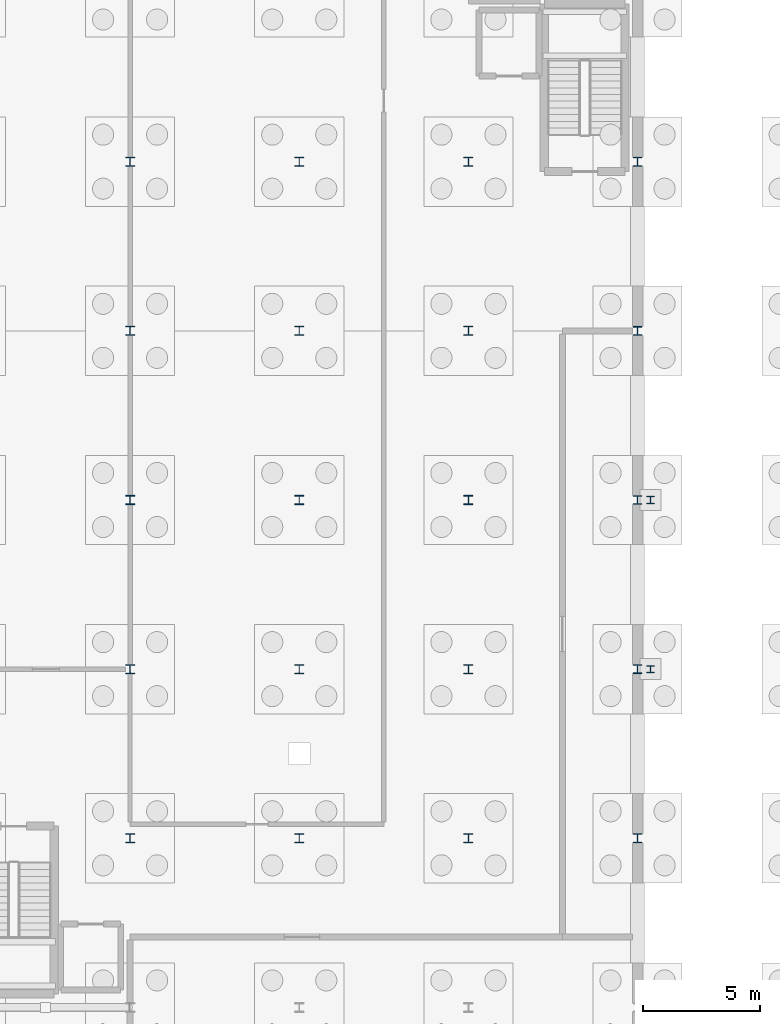
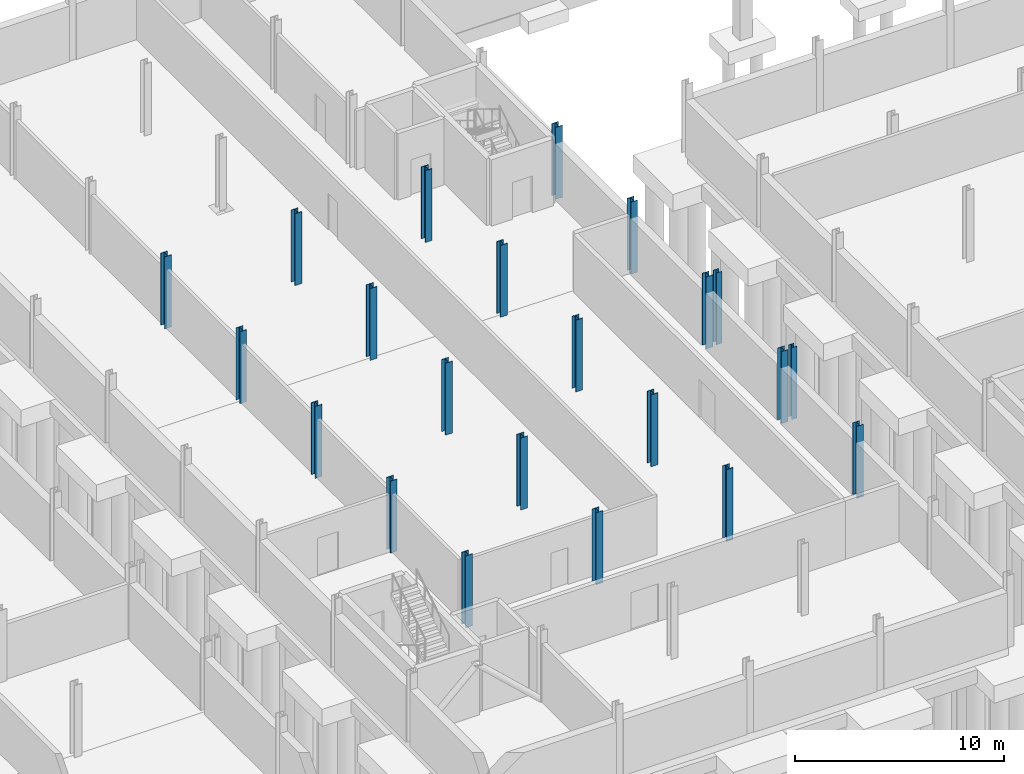
# One storey, part 16 of 50: 22 columns.
"""IFC4 building model written with IfcOpenShell, lengths in metres."""

from ifc_helpers import new_model, si_unit, direction, frame, origin, origin_2d, place, context, subcontext, project, spatial, i_section, extrude, material, material_profile, profile_set, type_object, element, save


model = new_model("IFC4")

# Units and contexts
model_context = context("Model", 3, precision=1e-05, world=origin(), true_north=direction((0.0, 1.0)))
body_context = subcontext(model_context, "Body", "Model", "MODEL_VIEW")
ifc_project = project(units=[si_unit("LENGTHUNIT", "METRE"), si_unit("AREAUNIT", "SQUARE_METRE"), si_unit("VOLUMEUNIT", "CUBIC_METRE"), si_unit("PLANEANGLEUNIT", "RADIAN"), si_unit("MASSUNIT", "GRAM", prefix="KILO")], contexts=[model_context])

# Site, building, storey
site_placement = place(None, origin())
site = spatial("IfcSite", under=ifc_project, at=site_placement, CompositionType="ELEMENT")
building_placement = place(site_placement, origin())
building = spatial("IfcBuilding", under=site, at=building_placement, Name="Narikvali Park Central Library", CompositionType="ELEMENT")
storey_placement = place(building_placement, frame((0.0, 0.0, -4.199951171875)))
storey = spatial("IfcBuildingStorey", under=building, at=storey_placement, Name="B1", CompositionType="ELEMENT", Elevation=-4.199951171875)

# Columns
ifc_material = material(Name="Steel S355", Category="steel")
ifc_material_profile_1 = material_profile(ifc_material, i_section(OverallWidth=0.3759765625, OverallDepth=0.3798828125, WebThickness=0.0166015625, FlangeThickness=0.026611328125, FilletRadius=0.014892578125, at=origin_2d()), Name="HD 360x237")
ifc_profile_set_1 = profile_set([ifc_material_profile_1], Name="Steel S355")
column_type_1 = type_object("IfcColumnType", Name="Atrium Edge Column HD360x237", PredefinedType="COLUMN", material=ifc_profile_set_1)
for number, where, z_axis, x_axis, name in (
    (1, (57.60009765625, 64.800048828125, 0.0), (0.0, 0.0, 1.0), (1.0, 0.0, 0.0), "V4 B1 Column (57.6,64.8)"),
    (2, (57.60009765625, 72.0, 0.0), (0.0, 0.0, 1.0), (1.0, 0.0, 0.0), "V4 B1 Column (57.6,72.0)"),
    (3, (57.60009765625, 79.199951171875, 0.0), (0.0, 0.0, 1.0), (1.0, 0.0, 0.0), "V4 B1 Column (57.6,79.2)"),
    (4, (57.60009765625, 86.39990234375, 0.0), (0.0, 0.0, 1.0), (1.0, 0.0, 0.0), "V4 B1 Column (57.6,86.4)"),
    (5, (57.60009765625, 93.60009765625, 0.0), (0.0, 0.0, 1.0), (1.0, 0.0, 0.0), "V4 B1 Column (57.6,93.6)"),
):
    element("IfcColumn", number, at=place(storey_placement, frame(where, z_axis=z_axis, x_axis=x_axis)), inside=storey, type_object=column_type_1, Name=name, PredefinedType="COLUMN", context=body_context, shape_type="SweptSolid", body=[
        extrude(i_section(OverallWidth=0.3759765625, OverallDepth=0.3798828125, WebThickness=0.0166015625, FlangeThickness=0.026611328125, FilletRadius=0.014892578125, at=origin_2d()), origin(), (0.0, 0.0, 1.0), 4.199951171875),
    ])
ifc_material_profile_2 = material_profile(ifc_material, i_section(OverallWidth=0.3779296875, OverallDepth=0.386962890625, WebThickness=0.01806640625, FlangeThickness=0.029052734375, FilletRadius=0.014892578125, at=origin_2d()), Name="HD 360x262")
ifc_profile_set_2 = profile_set([ifc_material_profile_2], Name="Steel S355")
column_type_2 = type_object("IfcColumnType", Name="Atrium Interior Column HD360x262", PredefinedType="COLUMN", material=ifc_profile_set_2)
for number, where, z_axis, x_axis, name in (
    (6, (36.0, 64.800048828125, 0.0), (0.0, 0.0, 1.0), (1.0, 0.0, 0.0), "V4 B1 Column (36.0,64.8)"),
    (7, (36.0, 72.0, 0.0), (0.0, 0.0, 1.0), (1.0, 0.0, 0.0), "V4 B1 Column (36.0,72.0)"),
    (8, (36.0, 79.199951171875, 0.0), (0.0, 0.0, 1.0), (1.0, 0.0, 0.0), "V4 B1 Column (36.0,79.2)"),
    (9, (36.0, 86.39990234375, 0.0), (0.0, 0.0, 1.0), (1.0, 0.0, 0.0), "V4 B1 Column (36.0,86.4)"),
    (10, (36.0, 93.60009765625, 0.0), (0.0, 0.0, 1.0), (1.0, 0.0, 0.0), "V4 B1 Column (36.0,93.6)"),
    (11, (43.199951171875, 64.800048828125, 0.0), (0.0, 0.0, 1.0), (1.0, 0.0, 0.0), "V4 B1 Column (43.2,64.8)"),
    (12, (43.199951171875, 72.0, 0.0), (0.0, 0.0, 1.0), (1.0, 0.0, 0.0), "V4 B1 Column (43.2,72.0)"),
    (13, (43.199951171875, 79.199951171875, 0.0), (0.0, 0.0, 1.0), (1.0, 0.0, 0.0), "V4 B1 Column (43.2,79.2)"),
    (14, (43.199951171875, 86.39990234375, 0.0), (0.0, 0.0, 1.0), (1.0, 0.0, 0.0), "V4 B1 Column (43.2,86.4)"),
    (15, (43.199951171875, 93.60009765625, 0.0), (0.0, 0.0, 1.0), (1.0, 0.0, 0.0), "V4 B1 Column (43.2,93.6)"),
    (16, (50.39990234375, 64.800048828125, 0.0), (0.0, 0.0, 1.0), (1.0, 0.0, 0.0), "V4 B1 Column (50.4,64.8)"),
    (17, (50.39990234375, 72.0, 0.0), (0.0, 0.0, 1.0), (1.0, 0.0, 0.0), "V4 B1 Column (50.4,72.0)"),
    (18, (50.39990234375, 79.199951171875, 0.0), (0.0, 0.0, 1.0), (1.0, 0.0, 0.0), "V4 B1 Column (50.4,79.2)"),
    (19, (50.39990234375, 86.39990234375, 0.0), (0.0, 0.0, 1.0), (1.0, 0.0, 0.0), "V4 B1 Column (50.4,86.4)"),
    (20, (50.39990234375, 93.60009765625, 0.0), (0.0, 0.0, 1.0), (1.0, 0.0, 0.0), "V4 B1 Column (50.4,93.6)"),
):
    element("IfcColumn", number, at=place(storey_placement, frame(where, z_axis=z_axis, x_axis=x_axis)), inside=storey, type_object=column_type_2, Name=name, PredefinedType="COLUMN", context=body_context, shape_type="SweptSolid", body=[
        extrude(i_section(OverallWidth=0.3779296875, OverallDepth=0.386962890625, WebThickness=0.01806640625, FlangeThickness=0.029052734375, FilletRadius=0.014892578125, at=origin_2d()), origin(), (0.0, 0.0, 1.0), 4.199951171875),
    ])
ifc_material_profile_3 = material_profile(ifc_material, i_section(OverallWidth=0.300048828125, OverallDepth=0.300048828125, WebThickness=0.010986328125, FlangeThickness=0.01904296875, FilletRadius=0.027099609375, at=origin_2d()), Name="HEB 300")
ifc_profile_set_3 = profile_set([ifc_material_profile_3], Name="Steel S355")
column_type_3 = type_object("IfcColumnType", Name="Steel Column HEB300", PredefinedType="COLUMN", material=ifc_profile_set_3)
for number, where, z_axis, x_axis, name in (
    (21, (58.14990234375, 72.0, 0.0), (0.0, 0.0, 1.0), (1.0, 0.0, 0.0), "BRG-2 Bridge Pier B1"),
    (22, (58.14990234375, 79.199951171875, 0.0), (0.0, 0.0, 1.0), (1.0, 0.0, 0.0), "BRG-2 Bridge Pier B1"),
):
    element("IfcColumn", number, at=place(storey_placement, frame(where, z_axis=z_axis, x_axis=x_axis)), inside=storey, type_object=column_type_3, Name=name, PredefinedType="COLUMN", context=body_context, shape_type="SweptSolid", body=[
        extrude(i_section(OverallWidth=0.300048828125, OverallDepth=0.300048828125, WebThickness=0.010986328125, FlangeThickness=0.01904296875, FilletRadius=0.027099609375, at=origin_2d()), origin(), (0.0, 0.0, 1.0), 4.199951171875),
    ])

save(model, "model.ifc")
